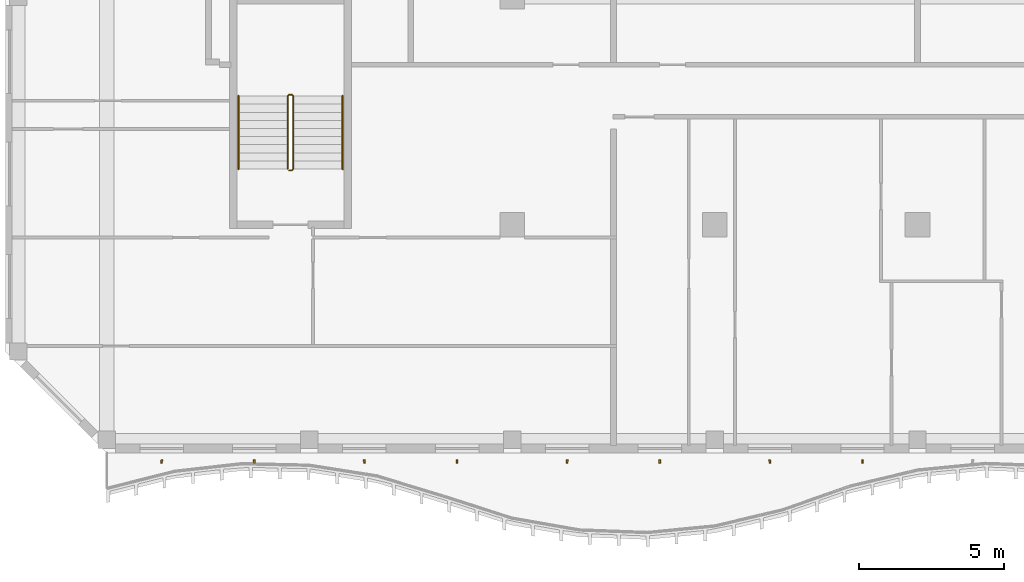
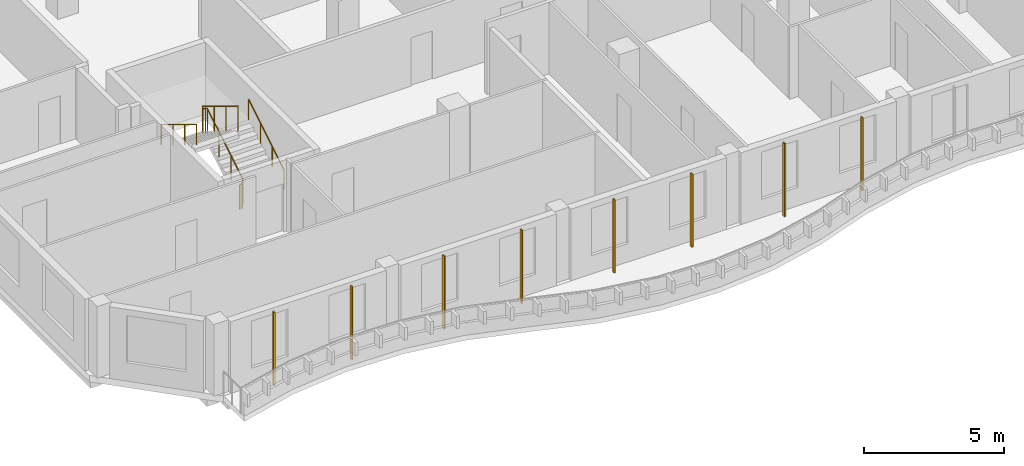
# One storey, part 11 of 17: 8 shading devices, 3 railings.
"""IFC4 building model written with IfcOpenShell, lengths in metres."""

from ifc_helpers import new_model, si_unit, direction, frame, origin, origin_2d, place, context, subcontext, project, spatial, rectangle, circle, extrude, source, transform, mapped, material, material_profile, profile_set, type_object, element, save


model = new_model("IFC4")

# Units and contexts
model_context = context("Model", 3, precision=1e-05, world=origin(), true_north=direction((0.0, 1.0)))
body_context = subcontext(model_context, "Body", "Model", "MODEL_VIEW")
ifc_project = project(units=[si_unit("LENGTHUNIT", "METRE"), si_unit("AREAUNIT", "SQUARE_METRE"), si_unit("VOLUMEUNIT", "CUBIC_METRE"), si_unit("PLANEANGLEUNIT", "RADIAN"), si_unit("MASSUNIT", "GRAM", prefix="KILO")], contexts=[model_context])

# Site, building, storey
site_placement = place(None, origin())
site = spatial("IfcSite", under=ifc_project, at=site_placement, CompositionType="ELEMENT")
building_placement = place(site_placement, origin())
building = spatial("IfcBuilding", under=site, at=building_placement, Name="Kilnfold Tower and Market Hall", CompositionType="ELEMENT")
storey_placement = place(building_placement, frame((0.0, 0.0, 308.60009765625)))
storey = spatial("IfcBuildingStorey", under=building, at=storey_placement, Name="L77", CompositionType="ELEMENT", Elevation=308.60009765625)

# Railings
ifc_material_1 = material(Name="Stainless steel 316", Category="steel")
railing_type_1 = type_object("IfcRailingType", Name="CORE STAIR GUARD 1100", PredefinedType="GUARDRAIL", material=ifc_material_1)
railing_1_placement = place(storey_placement, frame((-15.699951171875, -13.75, 0.0)))
element("IfcRailing", 1, at=railing_1_placement, inside=storey, type_object=railing_type_1, Name="L77 ST3 stair guard 1", PredefinedType="GUARDRAIL", context=body_context, shape_type="SweptSolid", body=[
    extrude(circle(Radius=0.02392578125, at=origin_2d()), frame((0.0, 0.0, 1.076171875), z_axis=(1.0, 0.0, 0.0), x_axis=(0.0, 1.0, 0.0)), (0.0, 0.0, 1.0), 0.099853515625),
    extrude(circle(Radius=0.02392578125, at=origin_2d()), frame((0.099853515625, 0.0, 1.076171875), z_axis=(0.271895245746, 0.271895245746, 0.923117517265), x_axis=(-0.707106781187, 0.707106781187, 0.0)), (0.0, 0.0, 1.0), 0.18408203125),
    extrude(circle(Radius=0.02392578125, at=origin_2d()), frame((0.14990234375, 0.050048828125, 1.24609375), z_axis=(0.0, 0.85478489116, 0.518982456201), x_axis=(-1.0, 0.0, 0.0)), (0.0, 0.0, 1.0), 2.9482421875),
    extrude(circle(Radius=0.02392578125, at=origin_2d()), frame((0.14990234375, 2.570068359375, 2.77587890625), z_axis=(-0.707106781187, 0.707106781187, 0.0), x_axis=(-0.707106781187, -0.707106781187, 0.0)), (0.0, 0.0, 1.0), 0.07080078125),
    extrude(circle(Radius=0.02392578125, at=origin_2d()), frame((0.099853515625, 2.6201171875, 2.77587890625), z_axis=(-1.0, 0.0, 0.0), x_axis=(0.0, -1.0, 0.0)), (0.0, 0.0, 1.0), 0.099853515625),
    extrude(circle(Radius=0.02392578125, at=origin_2d()), frame((0.0, 2.6201171875, 2.77587890625), z_axis=(-0.271895245746, -0.271895245746, 0.923117517265), x_axis=(0.707106781187, -0.707106781187, 0.0)), (0.0, 0.0, 1.0), 0.18408203125),
    extrude(circle(Radius=0.02392578125, at=origin_2d()), frame((-0.050048828125, 2.570068359375, 2.94580078125), z_axis=(0.0, -0.85478489116, 0.518982456201), x_axis=(1.0, 0.0, 0.0)), (0.0, 0.0, 1.0), 2.9482421875),
    extrude(circle(Radius=0.02099609375, at=origin_2d()), origin(), (0.0, 0.0, 1.0), 1.052001953125),
    extrude(circle(Radius=0.02099609375, at=origin_2d()), frame((0.099853515625, 0.0, 0.0)), (0.0, 0.0, 1.0), 1.052001953125),
    extrude(circle(Radius=0.02099609375, at=origin_2d()), frame((0.14990234375, 0.050048828125, 0.169921875)), (0.0, 0.0, 1.0), 1.052001953125),
    extrude(circle(Radius=0.02099609375, at=origin_2d()), frame((0.14990234375, 0.89013671875, 0.679931640625)), (0.0, 0.0, 1.0), 1.052001953125),
    extrude(circle(Radius=0.02099609375, at=origin_2d()), frame((0.14990234375, 1.72998046875, 1.18994140625)), (0.0, 0.0, 1.0), 1.052001953125),
    extrude(circle(Radius=0.02099609375, at=origin_2d()), frame((0.14990234375, 2.570068359375, 1.699951171875)), (0.0, 0.0, 1.0), 1.052001953125),
    extrude(circle(Radius=0.02099609375, at=origin_2d()), frame((0.099853515625, 2.6201171875, 1.699951171875)), (0.0, 0.0, 1.0), 1.052001953125),
    extrude(circle(Radius=0.02099609375, at=origin_2d()), frame((0.0, 2.6201171875, 1.699951171875)), (0.0, 0.0, 1.0), 1.052001953125),
    extrude(circle(Radius=0.02099609375, at=origin_2d()), frame((-0.050048828125, 2.570068359375, 1.869873046875)), (0.0, 0.0, 1.0), 1.052001953125),
    extrude(circle(Radius=0.02099609375, at=origin_2d()), frame((-0.050048828125, 1.72998046875, 2.3798828125)), (0.0, 0.0, 1.0), 1.052001953125),
    extrude(circle(Radius=0.02099609375, at=origin_2d()), frame((-0.050048828125, 0.89013671875, 2.889892578125)), (0.0, 0.0, 1.0), 1.052001953125),
    extrude(circle(Radius=0.02099609375, at=origin_2d()), frame((-0.050048828125, 0.050048828125, 3.39990234375)), (0.0, 0.0, 1.0), 1.052001953125),
])
ifc_material_2 = material(Name="Stainless steel 316", Category="steel")
railing_type_2 = type_object("IfcRailingType", Name="CORE STAIR HANDRAIL 900", PredefinedType="HANDRAIL", material=ifc_material_2)
railing_2_placement = place(storey_placement, frame((-13.85009765625, -13.699951171875, 0.169921875)))
element("IfcRailing", 2, at=railing_2_placement, inside=storey, type_object=railing_type_2, Name="L77 ST3 stair handrail 1", PredefinedType="HANDRAIL", context=body_context, shape_type="SweptSolid", body=[
    extrude(circle(Radius=0.02392578125, at=origin_2d()), frame((0.0, 0.0, 0.8759765625), z_axis=(0.0, 0.85478489116, 0.518982456201), x_axis=(-1.0, 0.0, 0.0)), (0.0, 0.0, 1.0), 2.9482421875),
    extrude(circle(Radius=0.02099609375, at=origin_2d()), origin(), (0.0, 0.0, 1.0), 0.851806640625),
    extrude(circle(Radius=0.02099609375, at=origin_2d()), frame((0.0, 0.840087890625, 0.510009765625)), (0.0, 0.0, 1.0), 0.851806640625),
    extrude(circle(Radius=0.02099609375, at=origin_2d()), frame((0.0, 1.679931640625, 1.02001953125)), (0.0, 0.0, 1.0), 0.851806640625),
    extrude(circle(Radius=0.02099609375, at=origin_2d()), frame((0.0, 2.52001953125, 1.530029296875)), (0.0, 0.0, 1.0), 0.851806640625),
])
railing_3_placement = place(storey_placement, frame((-17.449951171875, -11.179931640625, 1.869873046875)))
element("IfcRailing", 3, at=railing_3_placement, inside=storey, type_object=railing_type_2, Name="L77 ST3 stair handrail 2", PredefinedType="HANDRAIL", context=body_context, shape_type="SweptSolid", body=[
    extrude(circle(Radius=0.02392578125, at=origin_2d()), frame((0.0, 0.0, 0.8759765625), z_axis=(0.0, -0.85478489116, 0.518982456201), x_axis=(1.0, 0.0, 0.0)), (0.0, 0.0, 1.0), 2.9482421875),
    extrude(circle(Radius=0.02099609375, at=origin_2d()), origin(), (0.0, 0.0, 1.0), 0.851806640625),
    extrude(circle(Radius=0.02099609375, at=origin_2d()), frame((0.0, -0.840087890625, 0.510009765625)), (0.0, 0.0, 1.0), 0.851806640625),
    extrude(circle(Radius=0.02099609375, at=origin_2d()), frame((0.0, -1.679931640625, 1.02001953125)), (0.0, 0.0, 1.0), 0.851806640625),
    extrude(circle(Radius=0.02099609375, at=origin_2d()), frame((0.0, -2.52001953125, 1.530029296875)), (0.0, 0.0, 1.0), 0.851806640625),
])

# Shading devices
ifc_material_3 = material(Name="Terracotta", Category="masonry")
ifc_material_profile = material_profile(ifc_material_3, rectangle(XDim=0.06005859375, YDim=0.1201171875, at=origin_2d()), Name="BAG 60x120")
ifc_profile_set = profile_set([ifc_material_profile], Name="Terracotta")
shading_device_type = type_object("IfcShadingDeviceType", Name="BAGUETTE", PredefinedType="USERDEFINED", material=ifc_profile_set)
shared_shape = source(origin(), body_context, "Body", "SweptSolid", [
    extrude(rectangle(XDim=0.06005859375, YDim=0.1201171875, at=origin_2d()), origin(), (0.0, 0.0, 1.0), 3.179931640625),
])
for number, where, z_axis, x_axis, name in (
    (4, (-20.10009765625, -23.800048828125, 0.0), (0.0, 0.0, 1.0), (0.991295686584, -0.131654326777, 0.0), "Terracotta baguette L77 S"),
    (5, (-16.89990234375, -23.800048828125, 0.0), (0.0, 0.0, 1.0), (0.999628175608, 0.0272673895, 0.0), "Terracotta baguette L77 S"),
    (6, (-13.10009765625, -23.800048828125, 0.0), (0.0, 0.0, 1.0), (0.991295686584, 0.131654326777, 0.0), "Terracotta baguette L77 S"),
    (7, (-9.89990234375, -23.800048828125, 0.0), (0.0, 0.0, 1.0), (0.999628175608, -0.0272673895, 0.0), "Terracotta baguette L77 S"),
    (8, (-6.10009765625, -23.800048828125, 0.0), (0.0, 0.0, 1.0), (0.991295686584, -0.131654326777, 0.0), "Terracotta baguette L77 S"),
    (9, (-2.89990234375, -23.800048828125, 0.0), (0.0, 0.0, 1.0), (0.999628175608, 0.0272673895, 0.0), "Terracotta baguette L77 S"),
    (10, (0.89990234375, -23.800048828125, 0.0), (0.0, 0.0, 1.0), (0.991295686584, 0.131654326777, 0.0), "Terracotta baguette L77 S"),
    (11, (4.10009765625, -23.800048828125, 0.0), (0.0, 0.0, 1.0), (0.999628175608, -0.0272673895, 0.0), "Terracotta baguette L77 S"),
):
    element("IfcShadingDevice", number, at=place(storey_placement, frame(where, z_axis=z_axis, x_axis=x_axis)), inside=storey, type_object=shading_device_type, Name=name, ObjectType="BAGUETTE", PredefinedType="USERDEFINED", context=body_context, shape_type="MappedRepresentation", body=[
        mapped(shared_shape, transform((0.0, 0.0, 0.0))),
    ])

save(model, "model.ifc")
